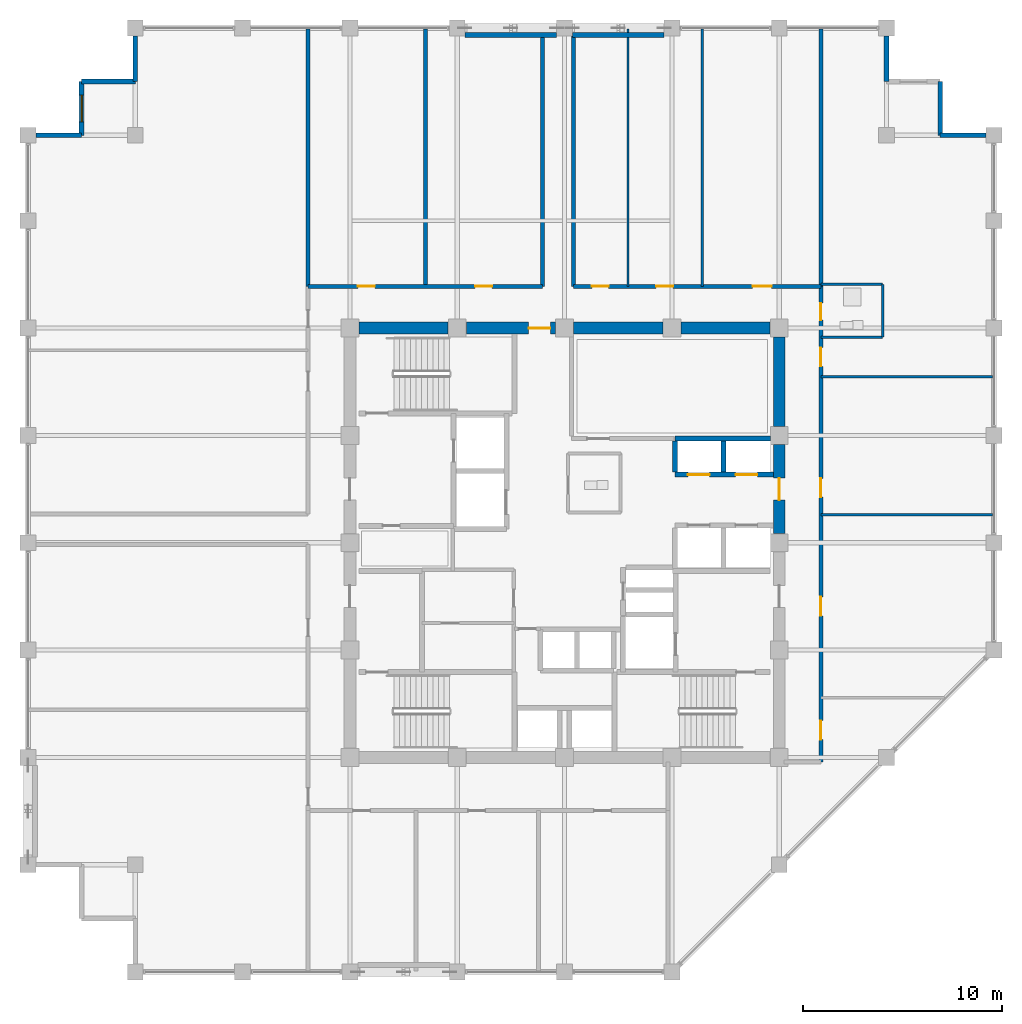
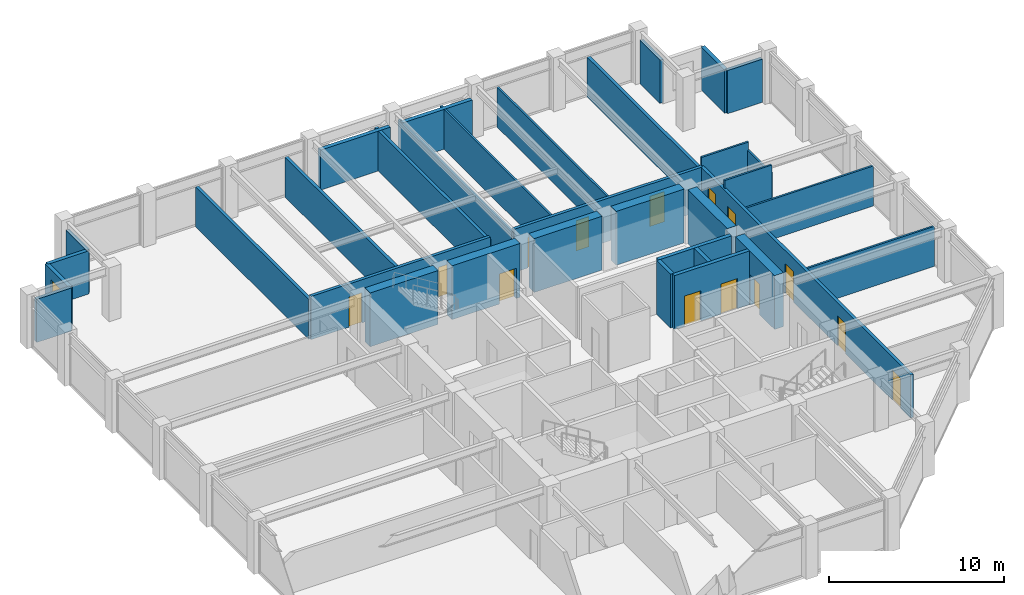
# One storey, part 29 of 32: 34 walls, 14 doors, 1 window, 15 openings.
"""IFC4 building model written with IfcOpenShell, lengths in metres."""

from ifc_helpers import new_model, si_unit, direction, frame, frame_2d, origin, place, context, subcontext, project, spatial, rectangle, extrude, material, layer, layer_set, type_object, element, fill, save


model = new_model("IFC4")

# Units and contexts
model_context = context("Model", 3, precision=1e-05, world=origin(), true_north=direction((0.0, 1.0)))
body_context = subcontext(model_context, "Body", "Model", "MODEL_VIEW")
ifc_project = project(units=[si_unit("LENGTHUNIT", "METRE"), si_unit("AREAUNIT", "SQUARE_METRE"), si_unit("VOLUMEUNIT", "CUBIC_METRE"), si_unit("PLANEANGLEUNIT", "RADIAN"), si_unit("MASSUNIT", "GRAM", prefix="KILO")], contexts=[model_context])

# Site, building, storey
site_placement = place(None, origin())
site = spatial("IfcSite", under=ifc_project, at=site_placement, CompositionType="ELEMENT")
building_placement = place(site_placement, origin())
building = spatial("IfcBuilding", under=site, at=building_placement, Name="Surkhivell Harbour Commons", CompositionType="ELEMENT")
storey_placement = place(building_placement, frame((0.0, 0.0, 223.5)))
storey = spatial("IfcBuildingStorey", under=building, at=storey_placement, Name="L58", CompositionType="ELEMENT", Elevation=223.5)

# Wall
ifc_material_1 = material(Name="Concrete C60/75", Category="concrete")
ifc_layer_1 = layer(ifc_material_1, 0.60009765625)
ifc_layer_set_1 = layer_set([ifc_layer_1], Name="Concrete C60/75")
wall_type_1 = type_object("IfcWallType", Name="WAL-CORE-600", PredefinedType="SHEAR", material=ifc_layer_set_1)
wall_1_placement = place(storey_placement, frame((-10.340087890625, 10.800048828125, 0.0), z_axis=(0.0, 0.0, 1.0), x_axis=(1.0, 0.0, 0.0)))
element("IfcWall", 1, at=wall_1_placement, inside=storey, type_object=wall_type_1, Name="L58 Core Shear Wall North 1", PredefinedType="SHEAR", context=body_context, shape_type="SweptSolid", body=[
    extrude(rectangle(XDim=4.47998046875, YDim=0.60009765625, at=frame_2d((2.239990234375, 0.0))), origin(), (0.0, 0.0, 1.0), 3.75),
])

# Wall, opening, door
wall_2_placement = place(storey_placement, frame((-4.93994140625, 10.800048828125, 0.0), z_axis=(0.0, 0.0, 1.0), x_axis=(1.0, 0.0, 0.0)))
wall_2 = element("IfcWall", 2, at=wall_2_placement, inside=storey, type_object=wall_type_1, Name="L58 Core Shear Wall North 2", PredefinedType="SHEAR", context=body_context, shape_type="SweptSolid", body=[
    extrude(rectangle(XDim=4.47998046875, YDim=0.60009765625, at=frame_2d((2.239990234375, 0.0))), origin(), (0.0, 0.0, 1.0), 3.75),
])
opening_1_placement = place(wall_2_placement, frame((3.1298828125, 0.0, 0.0)))
opening_1 = element("IfcOpeningElement", 3, at=opening_1_placement, cuts=wall_2, Name="Opening ID-2", PredefinedType="OPENING", context=body_context, shape_type="SweptSolid", body=[
    extrude(rectangle(XDim=1.10009765625, YDim=2.10009765625, at=frame_2d((0.550048828125, 1.050048828125))), frame((0.0, 0.31005859375, 0.0), z_axis=(0.0, -1.0, 0.0), x_axis=(1.0, 0.0, 0.0)), (0.0, 0.0, 1.0), 0.6201171875),
])
ifc_material_2 = material(Name="Hardwood-veneered fire-rated door leaf", Category="wood")
door_type_1 = type_object("IfcDoorType", Name="DOR-FD60-1100", OperationType="NOTDEFINED", PredefinedType="DOOR", material=ifc_material_2)
door_1_placement = place(opening_1_placement, origin())
door_1 = element("IfcDoor", 4, at=door_1_placement, inside=storey, type_object=door_type_1, Name="L58 Central Core Lift Hall North Corridor Door", OperationType="SINGLE_SWING_LEFT", OverallHeight=2.10009765625, OverallWidth=1.10009765625, PredefinedType="DOOR", context=body_context, shape_type="SweptSolid", body=[
    extrude(rectangle(XDim=1.10009765625, YDim=2.10009765625, at=frame_2d((0.550048828125, 1.050048828125))), frame((0.0, 0.02490234375, 0.0), z_axis=(0.0, -1.0, 0.0), x_axis=(1.0, 0.0, 0.0)), (0.0, 0.0, 1.0), 0.050048828125),
])
fill(opening_1, door_1)

# Wall
wall_3_placement = place(storey_placement, frame((0.4599609375, 10.800048828125, 0.0), z_axis=(0.0, 0.0, 1.0), x_axis=(1.0, 0.0, 0.0)))
element("IfcWall", 5, at=wall_3_placement, inside=storey, type_object=wall_type_1, Name="L58 Core Shear Wall North 3", PredefinedType="SHEAR", context=body_context, shape_type="SweptSolid", body=[
    extrude(rectangle(XDim=4.47998046875, YDim=0.60009765625, at=frame_2d((2.239990234375, 0.0))), origin(), (0.0, 0.0, 1.0), 3.75),
])

# Wall, opening, door
wall_4_placement = place(storey_placement, frame((10.800048828125, 0.4599609375, 0.0), z_axis=(0.0, 0.0, 1.0), x_axis=(0.0, 1.0, 0.0)))
wall_4 = element("IfcWall", 6, at=wall_4_placement, inside=storey, type_object=wall_type_1, Name="L58 Core Shear Wall East 3", PredefinedType="SHEAR", context=body_context, shape_type="SweptSolid", body=[
    extrude(rectangle(XDim=4.47998046875, YDim=0.60009765625, at=frame_2d((2.239990234375, 0.0))), origin(), (0.0, 0.0, 1.0), 3.75),
])
opening_2_placement = place(wall_4_placement, frame((1.68994140625, 0.0, 0.0)))
opening_2 = element("IfcOpeningElement", 7, at=opening_2_placement, cuts=wall_4, Name="Opening ID-2", PredefinedType="OPENING", context=body_context, shape_type="SweptSolid", body=[
    extrude(rectangle(XDim=1.10009765625, YDim=2.10009765625, at=frame_2d((0.550048828125, 1.050048828125))), frame((0.0, 0.31005859375, 0.0), z_axis=(0.0, -1.0, 0.0), x_axis=(1.0, 0.0, 0.0)), (0.0, 0.0, 1.0), 0.6201171875),
])
door_2_placement = place(opening_2_placement, origin())
door_2 = element("IfcDoor", 8, at=door_2_placement, inside=storey, type_object=door_type_1, Name="L58 Mid-Rise Lobby East Door", OperationType="SINGLE_SWING_LEFT", OverallHeight=2.10009765625, OverallWidth=1.10009765625, PredefinedType="DOOR", context=body_context, shape_type="SweptSolid", body=[
    extrude(rectangle(XDim=1.10009765625, YDim=2.10009765625, at=frame_2d((0.550048828125, 1.050048828125))), frame((0.0, 0.02490234375, 0.0), z_axis=(0.0, -1.0, 0.0), x_axis=(1.0, 0.0, 0.0)), (0.0, 0.0, 1.0), 0.050048828125),
])
fill(opening_2, door_2)

# Walls
for number, where, z_axis, x_axis, name in (
    (9, (5.860107421875, 10.800048828125, 0.0), (0.0, 0.0, 1.0), (1.0, 0.0, 0.0), "L58 Core Shear Wall North 4"),
    (10, (10.800048828125, 5.860107421875, 0.0), (0.0, 0.0, 1.0), (0.0, 1.0, 0.0), "L58 Core Shear Wall East 4"),
):
    element("IfcWall", number, at=place(storey_placement, frame(where, z_axis=z_axis, x_axis=x_axis)), inside=storey, type_object=wall_type_1, Name=name, PredefinedType="SHEAR", context=body_context, shape_type="SweptSolid", body=[
        extrude(rectangle(XDim=4.47998046875, YDim=0.60009765625, at=frame_2d((2.239990234375, 0.0))), origin(), (0.0, 0.0, 1.0), 3.75),
    ])
ifc_material_3 = material(Name="Pale-metal insulated precast concrete C45/55", Category="concrete")
ifc_layer_2 = layer(ifc_material_3, 0.260009765625)
ifc_layer_set_2 = layer_set([ifc_layer_2], Name="Pale-metal insulated precast concrete C45/55")
wall_type_2 = type_object("IfcWallType", Name="WAL-EXT-MTL260", PredefinedType="STANDARD", material=ifc_layer_set_2)
for number, where, z_axis, x_axis, name in (
    (11, (-0.39794921875, 25.5400390625, 0.0), (0.0, 0.0, 1.0), (-1.0, 0.0, 0.0), "L58 Braced-Bay Insulated Spandrel Backing N"),
    (12, (5.001953125, 25.5400390625, 0.0), (0.0, 0.0, 1.0), (-1.0, 0.0, 0.0), "L58 Braced-Bay Insulated Spandrel Backing N2"),
):
    element("IfcWall", number, at=place(storey_placement, frame(where, z_axis=z_axis, x_axis=x_axis)), inside=storey, type_object=wall_type_2, Name=name, PredefinedType="STANDARD", context=body_context, shape_type="SweptSolid", body=[
        extrude(rectangle(XDim=4.60400390625, YDim=0.260009765625, at=frame_2d((2.302001953125, 0.0))), origin(), (0.0, 0.0, 1.0), 2.780029296875),
    ])
ifc_material_4 = material(Name="Bronze-ochre cassette precast concrete C45/55", Category="concrete")
ifc_layer_3 = layer(ifc_material_4, 0.239990234375)
ifc_layer_set_3 = layer_set([ifc_layer_3], Name="Bronze-ochre cassette precast concrete C45/55")
wall_type_3 = type_object("IfcWallType", Name="WAL-EXT-OCH240", PredefinedType="STANDARD", material=ifc_layer_set_3)
wall_5_placement = place(storey_placement, frame((21.201904296875, 20.5, 0.0), z_axis=(0.0, 0.0, 1.0), x_axis=(-1.0, 0.0, 0.0)))
element("IfcWall", 13, at=wall_5_placement, inside=storey, type_object=wall_type_3, Name="L58 Serrated Corner Facade Wall 03", PredefinedType="STANDARD", context=body_context, shape_type="SweptSolid", body=[
    extrude(rectangle(XDim=2.302001953125, YDim=0.239990234375, at=frame_2d((1.15087890625, 0.0))), origin(), (0.0, 0.0, 1.0), 3.006103515625),
])
wall_6_placement = place(storey_placement, frame((18.89990234375, 20.5, 0.0), z_axis=(0.0, 0.0, 1.0), x_axis=(0.0, 1.0, 0.0)))
element("IfcWall", 14, at=wall_6_placement, inside=storey, type_object=wall_type_3, Name="L58 Serrated Corner Facade Wall 04", PredefinedType="STANDARD", context=body_context, shape_type="SweptSolid", body=[
    extrude(rectangle(XDim=2.699951171875, YDim=0.239990234375, at=frame_2d((1.35009765625, 0.0))), origin(), (0.0, 0.0, 1.0), 3.006103515625),
])
for number, where, z_axis, x_axis, name in (
    (15, (16.199951171875, 23.199951171875, 0.0), (0.0, 0.0, 1.0), (0.0, 1.0, 0.0), "L58 Serrated Corner Facade Wall 06"),
    (16, (-21.60009765625, 25.501953125, 0.0), (0.0, 0.0, 1.0), (0.0, -1.0, 0.0), "L58 Serrated Corner Facade Wall 08"),
):
    element("IfcWall", number, at=place(storey_placement, frame(where, z_axis=z_axis, x_axis=x_axis)), inside=storey, type_object=wall_type_3, Name=name, PredefinedType="STANDARD", context=body_context, shape_type="SweptSolid", body=[
        extrude(rectangle(XDim=2.302001953125, YDim=0.239990234375, at=frame_2d((1.15087890625, 0.0))), origin(), (0.0, 0.0, 1.0), 3.006103515625),
    ])
wall_7_placement = place(storey_placement, frame((-21.60009765625, 23.199951171875, 0.0), z_axis=(0.0, 0.0, 1.0), x_axis=(-1.0, 0.0, 0.0)))
element("IfcWall", 17, at=wall_7_placement, inside=storey, type_object=wall_type_3, Name="L58 Serrated Corner Facade Wall 09", PredefinedType="STANDARD", context=body_context, shape_type="SweptSolid", body=[
    extrude(rectangle(XDim=2.699951171875, YDim=0.239990234375, at=frame_2d((1.35009765625, 0.0))), origin(), (0.0, 0.0, 1.0), 3.006103515625),
])

# Wall, opening, window
wall_8_placement = place(storey_placement, frame((-24.300048828125, 23.199951171875, 0.0), z_axis=(0.0, 0.0, 1.0), x_axis=(0.0, -1.0, 0.0)))
wall_8 = element("IfcWall", 18, at=wall_8_placement, inside=storey, type_object=wall_type_3, Name="L58 Serrated Corner Facade Wall 10", PredefinedType="STANDARD", context=body_context, shape_type="SweptSolid", body=[
    extrude(rectangle(XDim=2.699951171875, YDim=0.239990234375, at=frame_2d((1.35009765625, 0.0))), origin(), (0.0, 0.0, 1.0), 3.006103515625),
])
opening_3_placement = place(wall_8_placement, frame((0.675048828125, 0.0, 0.64990234375)))
opening_3 = element("IfcOpeningElement", 19, at=opening_3_placement, cuts=wall_8, Name="Opening WN-08", PredefinedType="OPENING", context=body_context, shape_type="SweptSolid", body=[
    extrude(rectangle(XDim=1.35009765625, YDim=1.64990234375, at=frame_2d((0.675048828125, 0.824951171875))), frame((0.0, 0.1298828125, 0.0), z_axis=(0.0, -1.0, 0.0), x_axis=(1.0, 0.0, 0.0)), (0.0, 0.0, 1.0), 0.260009765625),
])
ifc_material_5 = material(Name="Thermal-break aluminium frame and double low-E glazing", Category="aluminium")
window_type = type_object("IfcWindowType", Name="WIN-SER-1350x1650", PartitioningType="SINGLE_PANEL", PredefinedType="WINDOW", material=ifc_material_5)
window_placement = place(opening_3_placement, origin())
window = element("IfcWindow", 20, at=window_placement, inside=storey, type_object=window_type, Name="L58 Serrated Alcove Window 10", OverallHeight=1.64990234375, OverallWidth=1.35009765625, PartitioningType="SINGLE_PANEL", PredefinedType="WINDOW", context=body_context, shape_type="SweptSolid", body=[
    extrude(rectangle(XDim=1.35009765625, YDim=1.64990234375, at=frame_2d((0.675048828125, 0.824951171875))), frame((0.0, 0.030029296875, 0.0), z_axis=(0.0, -1.0, 0.0), x_axis=(1.0, 0.0, 0.0)), (0.0, 0.0, 1.0), 0.06005859375),
])
fill(opening_3, window)

# Walls
wall_9_placement = place(storey_placement, frame((-24.300048828125, 20.5, 0.0), z_axis=(0.0, 0.0, 1.0), x_axis=(-1.0, 0.0, 0.0)))
element("IfcWall", 21, at=wall_9_placement, inside=storey, type_object=wall_type_3, Name="L58 Serrated Corner Facade Wall 11", PredefinedType="STANDARD", context=body_context, shape_type="SweptSolid", body=[
    extrude(rectangle(XDim=2.302001953125, YDim=0.239990234375, at=frame_2d((1.15087890625, 0.0))), origin(), (0.0, 0.0, 1.0), 3.006103515625),
])
ifc_material_6 = material(Name="Moisture-resistant acoustic stud partition", Category="other")
ifc_layer_4 = layer(ifc_material_6, 0.125)
ifc_layer_set_4 = layer_set([ifc_layer_4], Name="Moisture-resistant acoustic stud partition")
wall_type_4 = type_object("IfcWallType", Name="WAL-INT-125", PredefinedType="PARTITIONING", material=ifc_layer_set_4)
wall_10_placement = place(storey_placement, frame((12.89990234375, 1.409912109375, 0.0), z_axis=(0.0, 0.0, 1.0), x_axis=(1.0, 0.0, 0.0)))
element("IfcWall", 22, at=wall_10_placement, inside=storey, type_object=wall_type_4, Name="L58 East Partition BDP1", PredefinedType="PARTITIONING", context=body_context, shape_type="SweptSolid", body=[
    extrude(rectangle(XDim=8.64013671875, YDim=0.125, at=frame_2d((4.320068359375, 0.0))), origin(), (0.0, 0.0, 1.0), 2.780029296875),
])
wall_11_placement = place(storey_placement, frame((16.0, 10.35009765625, 0.0), z_axis=(0.0, 0.0, 1.0), x_axis=(0.0, 1.0, 0.0)))
element("IfcWall", 23, at=wall_11_placement, inside=storey, type_object=wall_type_4, Name="L58 East Partition BTHB", PredefinedType="PARTITIONING", context=body_context, shape_type="SweptSolid", body=[
    extrude(rectangle(XDim=2.64990234375, YDim=0.125, at=frame_2d((1.324951171875, 0.0))), origin(), (0.0, 0.0, 1.0), 3.006103515625),
])
for number, where, z_axis, x_axis, name in (
    (24, (12.89990234375, 13.0, 0.0), (0.0, 0.0, 1.0), (1.0, 0.0, 0.0), "L58 East Partition BTHN"),
    (25, (12.89990234375, 10.35009765625, 0.0), (0.0, 0.0, 1.0), (1.0, 0.0, 0.0), "L58 East Partition BTHS"),
):
    element("IfcWall", number, at=place(storey_placement, frame(where, z_axis=z_axis, x_axis=x_axis)), inside=storey, type_object=wall_type_4, Name=name, PredefinedType="PARTITIONING", context=body_context, shape_type="SweptSolid", body=[
        extrude(rectangle(XDim=3.10009765625, YDim=0.125, at=frame_2d((1.550048828125, 0.0))), origin(), (0.0, 0.0, 1.0), 3.570068359375),
    ])
wall_12_placement = place(storey_placement, frame((12.89990234375, 8.35009765625, 0.0), z_axis=(0.0, 0.0, 1.0), x_axis=(1.0, 0.0, 0.0)))
element("IfcWall", 26, at=wall_12_placement, inside=storey, type_object=wall_type_4, Name="L58 East Partition PTOP", PredefinedType="PARTITIONING", context=body_context, shape_type="SweptSolid", body=[
    extrude(rectangle(XDim=8.64013671875, YDim=0.125, at=frame_2d((4.320068359375, 0.0))), origin(), (0.0, 0.0, 1.0), 2.780029296875),
])
for number, where, z_axis, x_axis, name in (
    (27, (3.18994140625, 12.89990234375, 0.0), (0.0, 0.0, 1.0), (0.0, 1.0, 0.0), "L58 North-East Partition P1"),
    (28, (6.919921875, 12.89990234375, 0.0), (0.0, 0.0, 1.0), (0.0, 1.0, 0.0), "L58 North-East Partition P2"),
):
    element("IfcWall", number, at=place(storey_placement, frame(where, z_axis=z_axis, x_axis=x_axis)), inside=storey, type_object=wall_type_4, Name=name, PredefinedType="PARTITIONING", context=body_context, shape_type="SweptSolid", body=[
        extrude(rectangle(XDim=12.940185546875, YDim=0.125, at=frame_2d((6.47021484375, 0.0))), origin(), (0.0, 0.0, 1.0), 2.780029296875),
    ])
ifc_material_7 = material(Name="Autoclaved aerated concrete blockwork and fire plaster", Category="masonry")
ifc_layer_5 = layer(ifc_material_7, 0.199951171875)
ifc_layer_set_5 = layer_set([ifc_layer_5], Name="Autoclaved aerated concrete blockwork and fire plaster")
wall_type_5 = type_object("IfcWallType", Name="WAL-INT-200", PredefinedType="PARTITIONING", material=ifc_layer_set_5)
for number, where, z_axis, x_axis, name in (
    (29, (12.89990234375, 12.89990234375, 0.0), (0.0, 0.0, 1.0), (0.0, 1.0, 0.0), "L58 North-East Corner Wall"),
    (30, (-12.89990234375, 12.89990234375, 0.0), (0.0, 0.0, 1.0), (0.0, 1.0, 0.0), "L58 North-West Corner Wall"),
):
    element("IfcWall", number, at=place(storey_placement, frame(where, z_axis=z_axis, x_axis=x_axis)), inside=storey, type_object=wall_type_5, Name=name, PredefinedType="PARTITIONING", context=body_context, shape_type="SweptSolid", body=[
        extrude(rectangle(XDim=12.940185546875, YDim=0.199951171875, at=frame_2d((6.47021484375, 0.0))), origin(), (0.0, 0.0, 1.0), 2.780029296875),
    ])

# Wall, openings, doors
wall_13_placement = place(storey_placement, frame((12.89990234375, -11.0400390625, 0.0), z_axis=(0.0, 0.0, 1.0), x_axis=(0.0, 1.0, 0.0)))
wall_13 = element("IfcWall", 31, at=wall_13_placement, inside=storey, type_object=wall_type_5, Name="L58 Corridor East Wall", PredefinedType="PARTITIONING", context=body_context, shape_type="SweptSolid", body=[
    extrude(rectangle(XDim=23.93994140625, YDim=0.199951171875, at=frame_2d((11.969970703125, 0.0))), origin(), (0.0, 0.0, 1.0), 3.006103515625),
])
opening_4_placement = place(wall_13_placement, frame((1.139892578125, 0.0, 0.0)))
opening_4 = element("IfcOpeningElement", 32, at=opening_4_placement, cuts=wall_13, Name="Opening ID-4", PredefinedType="OPENING", context=body_context, shape_type="SweptSolid", body=[
    extrude(rectangle(XDim=0.949951171875, YDim=2.10009765625, at=frame_2d((0.47509765625, 1.050048828125))), frame((0.0, 0.10986328125, 0.0), z_axis=(0.0, -1.0, 0.0), x_axis=(1.0, 0.0, 0.0)), (0.0, 0.0, 1.0), 0.219970703125),
])
opening_5_placement = place(wall_13_placement, frame((22.2451171875, 0.0, 0.0)))
opening_5 = element("IfcOpeningElement", 33, at=opening_5_placement, cuts=wall_13, Name="Opening ID-6", PredefinedType="OPENING", context=body_context, shape_type="SweptSolid", body=[
    extrude(rectangle(XDim=0.85009765625, YDim=2.10009765625, at=frame_2d((0.425048828125, 1.050048828125))), frame((0.0, 0.10986328125, 0.0), z_axis=(0.0, -1.0, 0.0), x_axis=(1.0, 0.0, 0.0)), (0.0, 0.0, 1.0), 0.219970703125),
])
opening_6_placement = place(wall_13_placement, frame((19.909912109375, 0.0, 0.0)))
opening_6 = element("IfcOpeningElement", 34, at=opening_6_placement, cuts=wall_13, Name="Opening ID-4", PredefinedType="OPENING", context=body_context, shape_type="SweptSolid", body=[
    extrude(rectangle(XDim=0.949951171875, YDim=2.10009765625, at=frame_2d((0.47509765625, 1.050048828125))), frame((0.0, 0.10986328125, 0.0), z_axis=(0.0, -1.0, 0.0), x_axis=(1.0, 0.0, 0.0)), (0.0, 0.0, 1.0), 0.219970703125),
])
opening_7_placement = place(wall_13_placement, frame((7.364990234375, 0.0, 0.0)))
opening_7 = element("IfcOpeningElement", 35, at=opening_7_placement, cuts=wall_13, Name="Opening ID-4", PredefinedType="OPENING", context=body_context, shape_type="SweptSolid", body=[
    extrude(rectangle(XDim=0.949951171875, YDim=2.10009765625, at=frame_2d((0.47509765625, 1.050048828125))), frame((0.0, 0.10986328125, 0.0), z_axis=(0.0, -1.0, 0.0), x_axis=(1.0, 0.0, 0.0)), (0.0, 0.0, 1.0), 0.219970703125),
])
opening_8_placement = place(wall_13_placement, frame((13.333251953125, 0.0, 0.0)))
opening_8 = element("IfcOpeningElement", 36, at=opening_8_placement, cuts=wall_13, Name="Opening ID-4", PredefinedType="OPENING", context=body_context, shape_type="SweptSolid", body=[
    extrude(rectangle(XDim=0.949951171875, YDim=2.10009765625, at=frame_2d((0.47509765625, 1.050048828125))), frame((0.0, 0.10986328125, 0.0), z_axis=(0.0, -1.0, 0.0), x_axis=(1.0, 0.0, 0.0)), (0.0, 0.0, 1.0), 0.219970703125),
])
door_type_2 = type_object("IfcDoorType", Name="DOR-FD30-850", OperationType="NOTDEFINED", PredefinedType="DOOR", material=ifc_material_2)
door_3_placement = place(opening_5_placement, origin())
door_3 = element("IfcDoor", 37, at=door_3_placement, inside=storey, type_object=door_type_2, Name="L58 Communal Shower Bathroom East Door", OperationType="SINGLE_SWING_RIGHT", OverallHeight=2.10009765625, OverallWidth=0.85009765625, PredefinedType="DOOR", context=body_context, shape_type="SweptSolid", body=[
    extrude(rectangle(XDim=0.85009765625, YDim=2.10009765625, at=frame_2d((0.425048828125, 1.050048828125))), frame((0.0, 0.02490234375, 0.0), z_axis=(0.0, -1.0, 0.0), x_axis=(1.0, 0.0, 0.0)), (0.0, 0.0, 1.0), 0.050048828125),
])
fill(opening_5, door_3)
door_type_3 = type_object("IfcDoorType", Name="DOR-FD60-950", OperationType="NOTDEFINED", PredefinedType="DOOR", material=ifc_material_2)
door_4_placement = place(opening_4_placement, origin())
door_4 = element("IfcDoor", 38, at=door_4_placement, inside=storey, type_object=door_type_3, Name="L58 Shared Communal Kitchen East Door", OperationType="SINGLE_SWING_LEFT", OverallHeight=2.10009765625, OverallWidth=0.949951171875, PredefinedType="DOOR", context=body_context, shape_type="SweptSolid", body=[
    extrude(rectangle(XDim=0.949951171875, YDim=2.10009765625, at=frame_2d((0.47509765625, 1.050048828125))), frame((0.0, 0.02490234375, 0.0), z_axis=(0.0, -1.0, 0.0), x_axis=(1.0, 0.0, 0.0)), (0.0, 0.0, 1.0), 0.050048828125),
])
fill(opening_4, door_4)
door_5_placement = place(opening_6_placement, origin())
door_5 = element("IfcDoor", 39, at=door_5_placement, inside=storey, type_object=door_type_3, Name="L58 Academic Reading Commons East Door", OperationType="SINGLE_SWING_LEFT", OverallHeight=2.10009765625, OverallWidth=0.949951171875, PredefinedType="DOOR", context=body_context, shape_type="SweptSolid", body=[
    extrude(rectangle(XDim=0.949951171875, YDim=2.10009765625, at=frame_2d((0.47509765625, 1.050048828125))), frame((0.0, 0.02490234375, 0.0), z_axis=(0.0, -1.0, 0.0), x_axis=(1.0, 0.0, 0.0)), (0.0, 0.0, 1.0), 0.050048828125),
])
fill(opening_6, door_5)
door_6_placement = place(opening_7_placement, origin())
door_6 = element("IfcDoor", 40, at=door_6_placement, inside=storey, type_object=door_type_3, Name="L58 Hostel Cluster Bedroom 1 East Door", OperationType="SINGLE_SWING_RIGHT", OverallHeight=2.10009765625, OverallWidth=0.949951171875, PredefinedType="DOOR", context=body_context, shape_type="SweptSolid", body=[
    extrude(rectangle(XDim=0.949951171875, YDim=2.10009765625, at=frame_2d((0.47509765625, 1.050048828125))), frame((0.0, 0.02490234375, 0.0), z_axis=(0.0, -1.0, 0.0), x_axis=(1.0, 0.0, 0.0)), (0.0, 0.0, 1.0), 0.050048828125),
])
fill(opening_7, door_6)
door_7_placement = place(opening_8_placement, origin())
door_7 = element("IfcDoor", 41, at=door_7_placement, inside=storey, type_object=door_type_3, Name="L58 Co-Living Dormitory Bedroom 2 East Door", OperationType="SINGLE_SWING_LEFT", OverallHeight=2.10009765625, OverallWidth=0.949951171875, PredefinedType="DOOR", context=body_context, shape_type="SweptSolid", body=[
    extrude(rectangle(XDim=0.949951171875, YDim=2.10009765625, at=frame_2d((0.47509765625, 1.050048828125))), frame((0.0, 0.02490234375, 0.0), z_axis=(0.0, -1.0, 0.0), x_axis=(1.0, 0.0, 0.0)), (0.0, 0.0, 1.0), 0.050048828125),
])
fill(opening_8, door_7)

wall_14_placement = place(storey_placement, frame((-12.89990234375, 12.89990234375, 0.0), z_axis=(0.0, 0.0, 1.0), x_axis=(1.0, 0.0, 0.0)))
wall_14 = element("IfcWall", 42, at=wall_14_placement, inside=storey, type_object=wall_type_5, Name="L58 Corridor North-West Wall", PredefinedType="PARTITIONING", context=body_context, shape_type="SweptSolid", body=[
    extrude(rectangle(XDim=11.7998046875, YDim=0.199951171875, at=frame_2d((5.89990234375, 0.0))), origin(), (0.0, 0.0, 1.0), 3.006103515625),
])
opening_9_placement = place(wall_14_placement, frame((2.5, 0.0, 0.0)))
opening_9 = element("IfcOpeningElement", 43, at=opening_9_placement, cuts=wall_14, Name="Opening ID-6", PredefinedType="OPENING", context=body_context, shape_type="SweptSolid", body=[
    extrude(rectangle(XDim=0.85009765625, YDim=2.10009765625, at=frame_2d((0.425048828125, 1.050048828125))), frame((0.0, 0.10986328125, 0.0), z_axis=(0.0, -1.0, 0.0), x_axis=(1.0, 0.0, 0.0)), (0.0, 0.0, 1.0), 0.219970703125),
])
opening_10_placement = place(wall_14_placement, frame((8.39990234375, 0.0, 0.0)))
opening_10 = element("IfcOpeningElement", 44, at=opening_10_placement, cuts=wall_14, Name="Opening ID-6", PredefinedType="OPENING", context=body_context, shape_type="SweptSolid", body=[
    extrude(rectangle(XDim=0.85009765625, YDim=2.10009765625, at=frame_2d((0.425048828125, 1.050048828125))), frame((0.0, 0.10986328125, 0.0), z_axis=(0.0, -1.0, 0.0), x_axis=(1.0, 0.0, 0.0)), (0.0, 0.0, 1.0), 0.219970703125),
])
door_8_placement = place(opening_9_placement, origin())
door_8 = element("IfcDoor", 45, at=door_8_placement, inside=storey, type_object=door_type_2, Name="L58 Campus Co-Op Bookshop North-West Door", OperationType="SINGLE_SWING_RIGHT", OverallHeight=2.10009765625, OverallWidth=0.85009765625, PredefinedType="DOOR", context=body_context, shape_type="SweptSolid", body=[
    extrude(rectangle(XDim=0.85009765625, YDim=2.10009765625, at=frame_2d((0.425048828125, 1.050048828125))), frame((0.0, 0.02490234375, 0.0), z_axis=(0.0, -1.0, 0.0), x_axis=(1.0, 0.0, 0.0)), (0.0, 0.0, 1.0), 0.050048828125),
])
fill(opening_9, door_8)
door_9_placement = place(opening_10_placement, origin())
door_9 = element("IfcDoor", 46, at=door_9_placement, inside=storey, type_object=door_type_2, Name="L58 Harbour Espresso Cafe Shop North-West Door", OperationType="SINGLE_SWING_LEFT", OverallHeight=2.10009765625, OverallWidth=0.85009765625, PredefinedType="DOOR", context=body_context, shape_type="SweptSolid", body=[
    extrude(rectangle(XDim=0.85009765625, YDim=2.10009765625, at=frame_2d((0.425048828125, 1.050048828125))), frame((0.0, 0.02490234375, 0.0), z_axis=(0.0, -1.0, 0.0), x_axis=(1.0, 0.0, 0.0)), (0.0, 0.0, 1.0), 0.050048828125),
])
fill(opening_10, door_9)

wall_15_placement = place(storey_placement, frame((0.449951171875, 12.89990234375, 0.0), z_axis=(0.0, 0.0, 1.0), x_axis=(1.0, 0.0, 0.0)))
wall_15 = element("IfcWall", 47, at=wall_15_placement, inside=storey, type_object=wall_type_5, Name="L58 Corridor North-East Wall", PredefinedType="PARTITIONING", context=body_context, shape_type="SweptSolid", body=[
    extrude(rectangle(XDim=12.449951171875, YDim=0.199951171875, at=frame_2d((6.22509765625, 0.0))), origin(), (0.0, 0.0, 1.0), 3.006103515625),
])
opening_11_placement = place(wall_15_placement, frame((0.919921875, 0.0, 0.0)))
opening_11 = element("IfcOpeningElement", 48, at=opening_11_placement, cuts=wall_15, Name="Opening ID-6", PredefinedType="OPENING", context=body_context, shape_type="SweptSolid", body=[
    extrude(rectangle(XDim=0.85009765625, YDim=2.10009765625, at=frame_2d((0.425048828125, 1.050048828125))), frame((0.0, 0.10986328125, 0.0), z_axis=(0.0, -1.0, 0.0), x_axis=(1.0, 0.0, 0.0)), (0.0, 0.0, 1.0), 0.219970703125),
])
opening_12_placement = place(wall_15_placement, frame((4.155029296875, 0.0, 0.0)))
opening_12 = element("IfcOpeningElement", 49, at=opening_12_placement, cuts=wall_15, Name="Opening ID-6", PredefinedType="OPENING", context=body_context, shape_type="SweptSolid", body=[
    extrude(rectangle(XDim=0.85009765625, YDim=2.10009765625, at=frame_2d((0.425048828125, 1.050048828125))), frame((0.0, 0.10986328125, 0.0), z_axis=(0.0, -1.0, 0.0), x_axis=(1.0, 0.0, 0.0)), (0.0, 0.0, 1.0), 0.219970703125),
])
opening_13_placement = place(wall_15_placement, frame((9.010009765625, 0.0, 0.0)))
opening_13 = element("IfcOpeningElement", 50, at=opening_13_placement, cuts=wall_15, Name="Opening ID-4", PredefinedType="OPENING", context=body_context, shape_type="SweptSolid", body=[
    extrude(rectangle(XDim=0.949951171875, YDim=2.10009765625, at=frame_2d((0.47509765625, 1.050048828125))), frame((0.0, 0.10986328125, 0.0), z_axis=(0.0, -1.0, 0.0), x_axis=(1.0, 0.0, 0.0)), (0.0, 0.0, 1.0), 0.219970703125),
])
door_10_placement = place(opening_11_placement, origin())
door_10 = element("IfcDoor", 51, at=door_10_placement, inside=storey, type_object=door_type_2, Name="L58 Co-Working Study Office 1 North-East Door", OperationType="SINGLE_SWING_RIGHT", OverallHeight=2.10009765625, OverallWidth=0.85009765625, PredefinedType="DOOR", context=body_context, shape_type="SweptSolid", body=[
    extrude(rectangle(XDim=0.85009765625, YDim=2.10009765625, at=frame_2d((0.425048828125, 1.050048828125))), frame((0.0, 0.02490234375, 0.0), z_axis=(0.0, -1.0, 0.0), x_axis=(1.0, 0.0, 0.0)), (0.0, 0.0, 1.0), 0.050048828125),
])
fill(opening_11, door_10)
door_11_placement = place(opening_12_placement, origin())
door_11 = element("IfcDoor", 52, at=door_11_placement, inside=storey, type_object=door_type_2, Name="L58 Co-Working Study Office 2 North-East Door", OperationType="SINGLE_SWING_LEFT", OverallHeight=2.10009765625, OverallWidth=0.85009765625, PredefinedType="DOOR", context=body_context, shape_type="SweptSolid", body=[
    extrude(rectangle(XDim=0.85009765625, YDim=2.10009765625, at=frame_2d((0.425048828125, 1.050048828125))), frame((0.0, 0.02490234375, 0.0), z_axis=(0.0, -1.0, 0.0), x_axis=(1.0, 0.0, 0.0)), (0.0, 0.0, 1.0), 0.050048828125),
])
fill(opening_12, door_11)
door_12_placement = place(opening_13_placement, origin())
door_12 = element("IfcDoor", 53, at=door_12_placement, inside=storey, type_object=door_type_3, Name="L58 Co-Working Study Office 3 North-East Door", OperationType="SINGLE_SWING_RIGHT", OverallHeight=2.10009765625, OverallWidth=0.949951171875, PredefinedType="DOOR", context=body_context, shape_type="SweptSolid", body=[
    extrude(rectangle(XDim=0.949951171875, YDim=2.10009765625, at=frame_2d((0.47509765625, 1.050048828125))), frame((0.0, 0.02490234375, 0.0), z_axis=(0.0, -1.0, 0.0), x_axis=(1.0, 0.0, 0.0)), (0.0, 0.0, 1.0), 0.050048828125),
])
fill(opening_13, door_12)

# Walls
for number, where, z_axis, x_axis, name in (
    (54, (0.449951171875, 12.89990234375, 0.0), (0.0, 0.0, 1.0), (0.0, 1.0, 0.0), "L58 North Spur East Wall"),
    (55, (-1.10009765625, 12.89990234375, 0.0), (0.0, 0.0, 1.0), (0.0, 1.0, 0.0), "L58 North Spur West Wall"),
    (56, (-7.0, 12.89990234375, 0.0), (0.0, 0.0, 1.0), (0.0, 1.0, 0.0), "L58 North-West Partition P1"),
):
    element("IfcWall", number, at=place(storey_placement, frame(where, z_axis=z_axis, x_axis=x_axis)), inside=storey, type_object=wall_type_5, Name=name, PredefinedType="PARTITIONING", context=body_context, shape_type="SweptSolid", body=[
        extrude(rectangle(XDim=12.940185546875, YDim=0.199951171875, at=frame_2d((6.47021484375, 0.0))), origin(), (0.0, 0.0, 1.0), 2.780029296875),
    ])
ifc_material_8 = material(Name="Concrete C50/60", Category="concrete")
ifc_layer_6 = layer(ifc_material_8, 0.25)
ifc_layer_set_6 = layer_set([ifc_layer_6], Name="Concrete C50/60")
wall_type_6 = type_object("IfcWallType", Name="WAL-SHAFT-250", PredefinedType="SHEAR", material=ifc_layer_set_6)
for number, where, z_axis, x_axis, name in (
    (57, (5.550048828125, 3.550048828125, 0.0), (0.0, 0.0, 1.0), (0.0, 1.0, 0.0), "L58 Mid-Rise Shaft Side Wall N"),
    (58, (8.0, 3.550048828125, 0.0), (0.0, 0.0, 1.0), (0.0, 1.0, 0.0), "L58 Mid-Rise Shaft Side Wall N"),
):
    element("IfcWall", number, at=place(storey_placement, frame(where, z_axis=z_axis, x_axis=x_axis)), inside=storey, type_object=wall_type_6, Name=name, PredefinedType="SHEAR", context=body_context, shape_type="SweptSolid", body=[
        extrude(rectangle(XDim=1.570068359375, YDim=0.25, at=frame_2d((0.78515625, 0.0))), origin(), (0.0, 0.0, 1.0), 3.75),
    ])

# Wall, openings, doors
wall_16_placement = place(storey_placement, frame((5.550048828125, 3.429931640625, 0.0), z_axis=(0.0, 0.0, 1.0), x_axis=(1.0, 0.0, 0.0)))
wall_16 = element("IfcWall", 59, at=wall_16_placement, inside=storey, type_object=wall_type_6, Name="L58 Mid-Rise North Front Shaft Wall", PredefinedType="SHEAR", context=body_context, shape_type="SweptSolid", body=[
    extrude(rectangle(XDim=4.949951171875, YDim=0.25, at=frame_2d((2.47509765625, 0.0))), origin(), (0.0, 0.0, 1.0), 3.75),
])
opening_14_placement = place(wall_16_placement, frame((0.64990234375, 0.0, 0.0)))
opening_14 = element("IfcOpeningElement", 60, at=opening_14_placement, cuts=wall_16, Name="Opening LD-1", PredefinedType="OPENING", context=body_context, shape_type="SweptSolid", body=[
    extrude(rectangle(XDim=1.10009765625, YDim=2.10009765625, at=frame_2d((0.550048828125, 1.050048828125))), frame((0.0, 0.135009765625, 0.0), z_axis=(0.0, -1.0, 0.0), x_axis=(1.0, 0.0, 0.0)), (0.0, 0.0, 1.0), 0.27001953125),
])
opening_15_placement = place(wall_16_placement, frame((3.050048828125, 0.0, 0.0)))
opening_15 = element("IfcOpeningElement", 61, at=opening_15_placement, cuts=wall_16, Name="Opening LD-1", PredefinedType="OPENING", context=body_context, shape_type="SweptSolid", body=[
    extrude(rectangle(XDim=1.10009765625, YDim=2.10009765625, at=frame_2d((0.550048828125, 1.050048828125))), frame((0.0, 0.135009765625, 0.0), z_axis=(0.0, -1.0, 0.0), x_axis=(1.0, 0.0, 0.0)), (0.0, 0.0, 1.0), 0.27001953125),
])
ifc_material_9 = material(Name="Brushed stainless steel S355", Category="steel")
door_type_4 = type_object("IfcDoorType", Name="DOR-LD-1100", OperationType="SLIDING_TO_LEFT", PredefinedType="DOOR", material=ifc_material_9)
door_13_placement = place(opening_14_placement, origin())
door_13 = element("IfcDoor", 62, at=door_13_placement, inside=storey, type_object=door_type_4, Name="L58 Lift Landing Door LD-PM1", OperationType="SLIDING_TO_RIGHT", OverallHeight=2.10009765625, OverallWidth=1.10009765625, PredefinedType="DOOR", context=body_context, shape_type="SweptSolid", body=[
    extrude(rectangle(XDim=1.10009765625, YDim=2.10009765625, at=frame_2d((0.550048828125, 1.050048828125))), frame((0.0, 0.02490234375, 0.0), z_axis=(0.0, -1.0, 0.0), x_axis=(1.0, 0.0, 0.0)), (0.0, 0.0, 1.0), 0.050048828125),
])
fill(opening_14, door_13)
door_14_placement = place(opening_15_placement, origin())
door_14 = element("IfcDoor", 63, at=door_14_placement, inside=storey, type_object=door_type_4, Name="L58 Lift Landing Door LD-PM2", OperationType="SLIDING_TO_RIGHT", OverallHeight=2.10009765625, OverallWidth=1.10009765625, PredefinedType="DOOR", context=body_context, shape_type="SweptSolid", body=[
    extrude(rectangle(XDim=1.10009765625, YDim=2.10009765625, at=frame_2d((0.550048828125, 1.050048828125))), frame((0.0, 0.02490234375, 0.0), z_axis=(0.0, -1.0, 0.0), x_axis=(1.0, 0.0, 0.0)), (0.0, 0.0, 1.0), 0.050048828125),
])
fill(opening_15, door_14)

# Wall
wall_17_placement = place(storey_placement, frame((5.550048828125, 5.239990234375, 0.0), z_axis=(0.0, 0.0, 1.0), x_axis=(1.0, 0.0, 0.0)))
element("IfcWall", 64, at=wall_17_placement, inside=storey, type_object=wall_type_6, Name="L58 Mid-Rise North Back Shaft Wall", PredefinedType="SHEAR", context=body_context, shape_type="SweptSolid", body=[
    extrude(rectangle(XDim=4.800048828125, YDim=0.25, at=frame_2d((2.39990234375, 0.0))), origin(), (0.0, 0.0, 1.0), 3.75),
])

save(model, "model.ifc")
